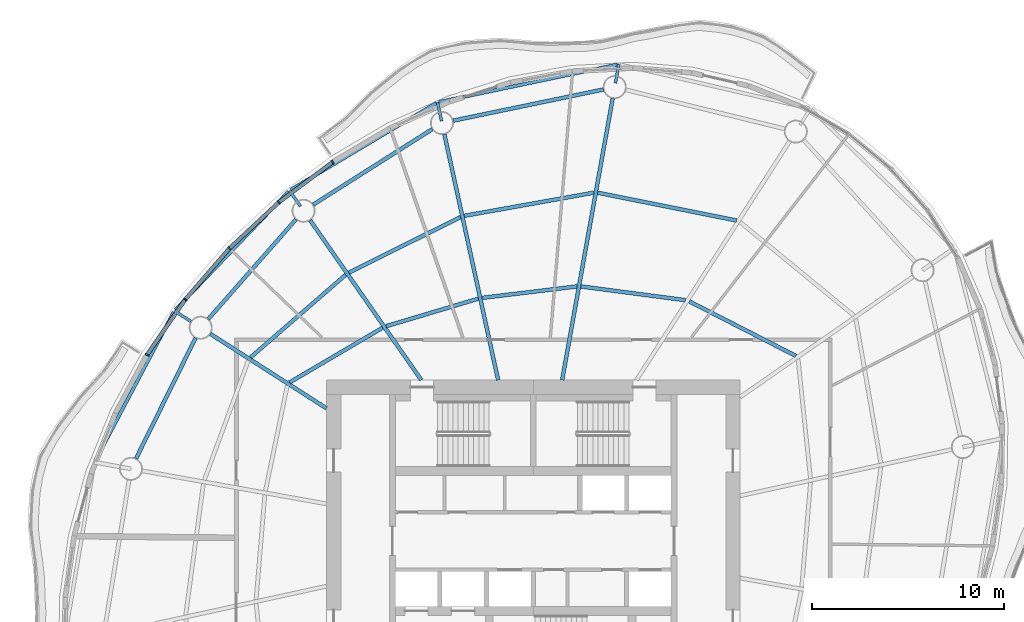
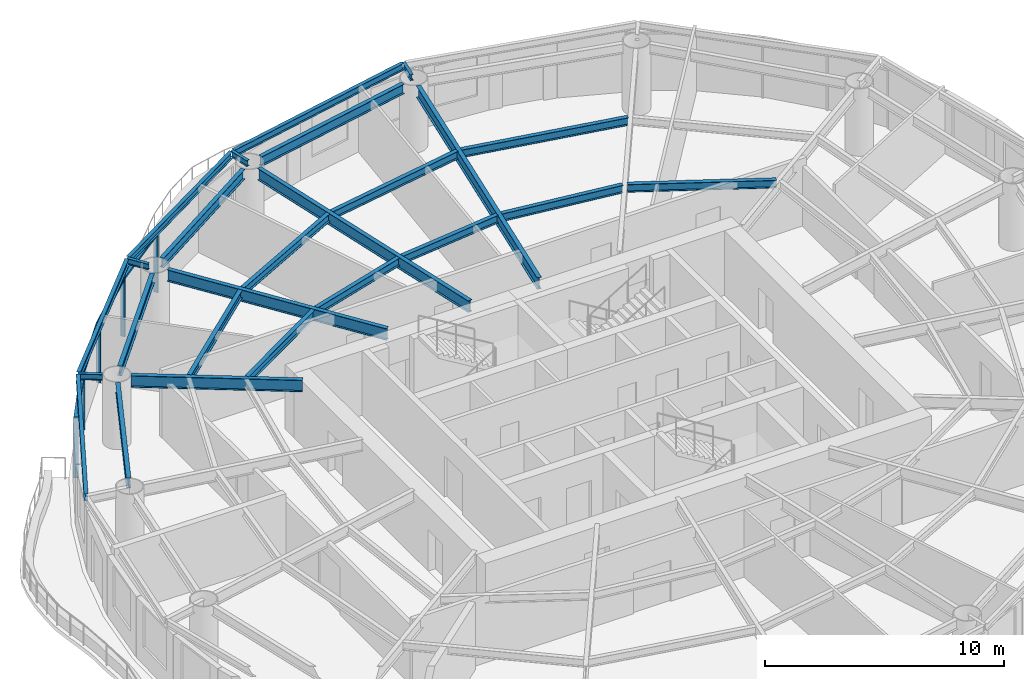
# One storey, part 5 of 14: 25 beams, 9 members, 4 elements without a shape of their own.
"""IFC4 building model written with IfcOpenShell, lengths in metres."""

import ifcopenshell
import ifcopenshell.guid

model = None  # the IFC model being written
_history = None  # IfcOwnerHistory: only IFC2X3 demands one
_inside = {}  # id of a spatial element -> (the spatial element, [elements in it])
_under = {}  # id of a project, library or spatial element -> (it, [spatial elements below it])
_declared = {}  # id of a project -> (the project, [libraries it declares])
_typed = {}  # id of a type object -> (the type object, [elements of that type])
_made_of = {}  # id of a material, layer set ... -> (it, [elements and type objects made of it])


def new_model(schema):
    """Start an empty IFC model of exactly this schema.

    Asked for "IFC4X3", IfcOpenShell would pick the latest addendum, in which some entities
    have other attributes; the version numbers below select the first issue.
    IFC2X3 requires an IfcOwnerHistory on every rooted entity: one is made here for all.
    """
    global model, _history
    if schema == "IFC4X3":
        model = ifcopenshell.file(schema_version=(4, 3, 0, 0))
    else:
        model = ifcopenshell.file(schema=schema)
    _inside.clear()
    _under.clear()
    _declared.clear()
    _typed.clear()
    _made_of.clear()
    _history = None
    if model.schema == "IFC2X3":
        org = make("IfcOrganization", Name="unknown")
        user = make(
            "IfcPersonAndOrganization",
            ThePerson=make("IfcPerson", FamilyName="unknown"),
            TheOrganization=org,
        )
        app = make(
            "IfcApplication",
            ApplicationDeveloper=org,
            Version="unknown",
            ApplicationFullName="unknown",
            ApplicationIdentifier="unknown",
        )
        _history = make(
            "IfcOwnerHistory",
            OwningUser=user,
            OwningApplication=app,
            ChangeAction="ADDED",
            CreationDate=0,
        )
    return model


def make(cls, **values):
    """One entity of the class cls with the attributes given. An attribute that is None is left unset."""
    return model.create_entity(
        cls, **{name: value for name, value in values.items() if value is not None}
    )


def rooted(cls, **values):
    """An entity with a GlobalId (a new one), such as an element, a storey or a relation."""
    return make(cls, GlobalId=ifcopenshell.guid.new(), OwnerHistory=_history, **values)


def si_unit(unit_type, name, prefix=None):
    """IfcSIUnit, for example si_unit("LENGTHUNIT", "METRE", prefix="MILLI")."""
    return make("IfcSIUnit", UnitType=unit_type, Prefix=prefix, Name=name)


def assignment(units):
    """IfcUnitAssignment: the units of a project."""
    return None if units is None else make("IfcUnitAssignment", Units=units)


def point(xyz):
    """IfcCartesianPoint."""
    return None if xyz is None else make("IfcCartesianPoint", Coordinates=xyz)


def direction(xyz):
    """IfcDirection."""
    return None if xyz is None else make("IfcDirection", DirectionRatios=xyz)


def frame(location, z_axis=None, x_axis=None):
    """IfcAxis2Placement3D, a coordinate frame: its origin and axes. An axis left out is left unset."""
    return make(
        "IfcAxis2Placement3D",
        Location=point(location),
        Axis=direction(z_axis),
        RefDirection=direction(x_axis),
    )


def frame_2d(location, x_axis=None):
    """IfcAxis2Placement2D, a coordinate frame in the plane: its origin and x axis."""
    return make(
        "IfcAxis2Placement2D", Location=point(location), RefDirection=direction(x_axis)
    )


def origin():
    """The frame at (0, 0, 0) with its axes left unset."""
    return frame((0.0, 0.0, 0.0))


def origin_2d():
    """The frame at (0, 0) in the plane with its x axis left unset."""
    return frame_2d((0.0, 0.0))


def place(relative_to, where):
    """IfcLocalPlacement: puts the frame where relative to a parent placement (None: the world)."""
    return make(
        "IfcLocalPlacement", PlacementRelTo=relative_to, RelativePlacement=where
    )


def context(
    kind, dimensions, precision=None, world=None, true_north=None, identifier=None
):
    """IfcGeometricRepresentationContext, for example the 3D "Model" context."""
    return make(
        "IfcGeometricRepresentationContext",
        ContextIdentifier=identifier,
        ContextType=kind,
        CoordinateSpaceDimension=dimensions,
        Precision=precision,
        WorldCoordinateSystem=world,
        TrueNorth=true_north,
    )


def subcontext(parent, identifier, kind, view, scale=None):
    """IfcGeometricRepresentationSubContext, for example "Body" below "Model"."""
    return make(
        "IfcGeometricRepresentationSubContext",
        ContextIdentifier=identifier,
        ContextType=kind,
        ParentContext=parent,
        TargetScale=scale,
        TargetView=view,
    )


def project(units=None, contexts=None):
    """IfcProject with its units and contexts."""
    return rooted(
        "IfcProject",
        Name="project",
        RepresentationContexts=contexts,
        UnitsInContext=assignment(units),
    )


def spatial(cls, under=None, at=None, **own):
    """A site, building, storey or space (cls), placed at a placement, below another one or the project."""
    s = rooted(cls, ObjectPlacement=at, **own)
    if under is not None:
        _under.setdefault(under.id(), (under, []))[1].append(s)
    return s


def profile(cls, at=None, kind="AREA", **sizes):
    """A parametric profile (cls). Its sizes go by their IFC names, for example OverallWidth=200.0."""
    return make(cls, ProfileType=kind, Position=at, **sizes)


def rectangle(**sizes):
    """IfcRectangleProfileDef."""
    return profile("IfcRectangleProfileDef", **sizes)


def i_section(**sizes):
    """IfcIShapeProfileDef."""
    return profile("IfcIShapeProfileDef", **sizes)


def extrude(swept, where, along, depth):
    """IfcExtrudedAreaSolid: the profile swept, set in the frame where, extruded along a direction by depth."""
    return make(
        "IfcExtrudedAreaSolid",
        SweptArea=swept,
        Position=where,
        ExtrudedDirection=direction(along),
        Depth=depth,
    )


def shape(context_of_items, identifier, shape_type, items):
    """IfcShapeRepresentation: the items that make up one representation, for example the "Body"."""
    return make(
        "IfcShapeRepresentation",
        ContextOfItems=context_of_items,
        RepresentationIdentifier=identifier,
        RepresentationType=shape_type,
        Items=items,
    )


def material(Name=None, Category=None):
    """IfcMaterial."""
    return make("IfcMaterial", Name=Name, Category=Category)


def material_profile(
    of_material, cross_section, Name=None, Category=None, Priority=None
):
    """IfcMaterialProfile: a cross section and its material."""
    return make(
        "IfcMaterialProfile",
        Name=Name,
        Material=of_material,
        Profile=cross_section,
        Priority=Priority,
        Category=Category,
    )


def profile_set(profiles, Name=None, composite=None):
    """IfcMaterialProfileSet."""
    return make(
        "IfcMaterialProfileSet",
        Name=Name,
        MaterialProfiles=profiles,
        CompositeProfile=composite,
    )


def made_of(thing, what):
    """Note that an element or type object is made of a material, layer set ...; save() writes the relation."""
    if what is not None:
        _made_of.setdefault(what.id(), (what, []))[1].append(thing)
    return thing


def type_object(cls, material=None, **own):
    """A type object (cls), such as IfcWallType, which elements share."""
    return made_of(rooted(cls, **own), material)


def element(
    cls,
    number,
    at=None,
    inside=None,
    cuts=None,
    type_object=None,
    material=None,
    context=None,
    identifier="Body",
    shape_type=None,
    held_by="IfcProductDefinitionShape",
    body=None,
    shapes=None,
    **own,
):
    """One element of the class cls, such as IfcWall. Its Tag is "e" and its number.

    at: its placement. inside: the storey or other place that contains it. cuts: it is an
    opening in that element (IfcRelVoidsElement). A single representation is given by context,
    identifier, shape_type and body (its items); several are given by shapes. held_by: the class
    of the entity that holds the representations. save() writes the other relations.
    """
    e = rooted(cls, Tag="e%d" % number, ObjectPlacement=at, **own)
    if body is not None:
        shapes = [shape(context, identifier, shape_type, body)]
    if shapes is not None:
        e.Representation = make(held_by, Representations=shapes)
    if inside is not None:
        _inside.setdefault(inside.id(), (inside, []))[1].append(e)
    if cuts is not None:
        rooted(
            "IfcRelVoidsElement", RelatingBuildingElement=cuts, RelatedOpeningElement=e
        )
    if type_object is not None:
        _typed.setdefault(type_object.id(), (type_object, []))[1].append(e)
    return made_of(e, material)


def aggregate(whole, parts):
    """IfcRelAggregates: a whole, such as a stair, and the parts it consists of."""
    return rooted("IfcRelAggregates", RelatingObject=whole, RelatedObjects=parts)


def save(model, path):
    """Write the relations noted so far, then the file.

    IfcRelAggregates (storeys below a building ...), IfcRelContainedInSpatialStructure (elements
    in a storey), IfcRelDefinesByType, IfcRelAssociatesMaterial and IfcRelDeclares: one each for
    every whole, place, type object, material and project.
    """
    for whole, parts in _under.values():
        aggregate(whole, parts)
    for where, things in _inside.values():
        rooted(
            "IfcRelContainedInSpatialStructure",
            RelatedElements=things,
            RelatingStructure=where,
        )
    for kind, things in _typed.values():
        rooted("IfcRelDefinesByType", RelatedObjects=things, RelatingType=kind)
    for what, things in _made_of.values():
        rooted("IfcRelAssociatesMaterial", RelatedObjects=things, RelatingMaterial=what)
    for by, libraries in _declared.values():
        rooted("IfcRelDeclares", RelatingContext=by, RelatedDefinitions=libraries)
    model.write(path)


model = new_model("IFC4")

# Units and contexts
model_context = context("Model", 3, precision=1e-05, world=origin(), true_north=direction((0.0, 1.0)))
body_context = subcontext(model_context, "Body", "Model", "MODEL_VIEW")
ifc_project = project(units=[si_unit("LENGTHUNIT", "METRE"), si_unit("AREAUNIT", "SQUARE_METRE"), si_unit("VOLUMEUNIT", "CUBIC_METRE"), si_unit("PLANEANGLEUNIT", "RADIAN"), si_unit("MASSUNIT", "GRAM", prefix="KILO")], contexts=[model_context])

# Site, building, storey
site_placement = place(None, origin())
site = spatial("IfcSite", under=ifc_project, at=site_placement, CompositionType="ELEMENT")
building_placement = place(site_placement, origin())
building = spatial("IfcBuilding", under=site, at=building_placement, Name="Vermilion Reach Broadcast Tower", CompositionType="ELEMENT")
storey_placement = place(building_placement, frame((0.0, 0.0, 217.300048828125)))
storey = spatial("IfcBuildingStorey", under=building, at=storey_placement, Name="L53", CompositionType="ELEMENT", Elevation=217.300048828125)

# Beams
ifc_material_1 = material(Name="Steel S355J2", Category="steel")
ifc_material_profile_1 = material_profile(ifc_material_1, i_section(OverallWidth=0.175048828125, OverallDepth=0.35009765625, WebThickness=0.007080078125, FlangeThickness=0.010986328125, at=origin_2d()), Name="S355J2 HN 350x175x7x11")
ifc_profile_set_1 = profile_set([ifc_material_profile_1], Name="Steel S355J2")
beam_type_1 = type_object("IfcBeamType", Name="EB4 HN 350x175x7x11", PredefinedType="BEAM", material=ifc_profile_set_1)
beam_1_placement = place(storey_placement, frame((-1.614990234375, 24.869140625, 3.27490234375), z_axis=(-0.978630795102, -0.205625307, 0.0), x_axis=(0.205625307, -0.978630795102, 0.0)))
element("IfcBeam", 1, at=beam_1_placement, inside=storey, type_object=beam_type_1, Name="Edge beam EB4-02", PredefinedType="BEAM", context=body_context, shape_type="SweptSolid", body=[
    extrude(i_section(OverallWidth=0.175048828125, OverallDepth=0.35009765625, WebThickness=0.007080078125, FlangeThickness=0.010986328125, at=origin_2d()), origin(), (0.0, 0.0, 1.0), 9.519775390625),
])
beam_2_placement = place(storey_placement, frame((-11.07275390625, 22.855712890625, 3.27490234375), z_axis=(-0.858838056744, -0.51224719842, 0.0), x_axis=(0.51224719842, -0.858838056744, 0.0)))
element("IfcBeam", 2, at=beam_2_placement, inside=storey, type_object=beam_type_1, Name="Edge beam EB4-03", PredefinedType="BEAM", context=body_context, shape_type="SweptSolid", body=[
    extrude(i_section(OverallWidth=0.175048828125, OverallDepth=0.35009765625, WebThickness=0.007080078125, FlangeThickness=0.010986328125, at=origin_2d()), origin(), (0.0, 0.0, 1.0), 8.836669921875),
])
beam_3_placement = place(storey_placement, frame((-18.779541015625, 18.2353515625, 3.27490234375), z_axis=(-0.691537527371, -0.722340534815, 0.0), x_axis=(0.722340534815, -0.691537527371, 0.0)))
element("IfcBeam", 3, at=beam_3_placement, inside=storey, type_object=beam_type_1, Name="Edge beam EB4-04", PredefinedType="BEAM", context=body_context, shape_type="SweptSolid", body=[
    extrude(i_section(OverallWidth=0.175048828125, OverallDepth=0.35009765625, WebThickness=0.007080078125, FlangeThickness=0.010986328125, at=origin_2d()), origin(), (0.0, 0.0, 1.0), 8.5361328125),
])
beam_4_placement = place(storey_placement, frame((-24.770751953125, 11.947509765625, 3.27490234375), z_axis=(-0.46684098408, -0.884341277779, 0.0), x_axis=(0.884341277779, -0.46684098408, 0.0)))
element("IfcBeam", 4, at=beam_4_placement, inside=storey, type_object=beam_type_1, Name="Edge beam EB4-05", PredefinedType="BEAM", context=body_context, shape_type="SweptSolid", body=[
    extrude(i_section(OverallWidth=0.175048828125, OverallDepth=0.35009765625, WebThickness=0.007080078125, FlangeThickness=0.010986328125, at=origin_2d()), origin(), (0.0, 0.0, 1.0), 8.758056640625),
])
ifc_material_2 = material(Name="Steel S355J2", Category="steel")
ifc_material_profile_2 = material_profile(ifc_material_2, i_section(OverallWidth=0.199951171875, OverallDepth=0.60009765625, WebThickness=0.010986328125, FlangeThickness=0.01708984375, at=origin_2d()), Name="S355J2 HN 600x200x11x17")
ifc_profile_set_2 = profile_set([ifc_material_profile_2], Name="Steel S355J2")
beam_type_2 = type_object("IfcBeamType", Name="G4 HN 600x200x11x17", PredefinedType="BEAM", material=ifc_profile_set_2)
beam_5_placement = place(storey_placement, frame((-4.4931640625, 8.39990234375, 3.14990234375), z_axis=(0.176574729047, 0.984287237072, 0.0), x_axis=(-0.984287237072, 0.176574729047, 0.0)))
element("IfcBeam", 5, at=beam_5_placement, inside=storey, type_object=beam_type_2, Name="Girder G4-02", PredefinedType="BEAM", context=body_context, shape_type="SweptSolid", body=[
    extrude(i_section(OverallWidth=0.199951171875, OverallDepth=0.60009765625, WebThickness=0.010986328125, FlangeThickness=0.01708984375, at=origin_2d()), origin(), (0.0, 0.0, 1.0), 14.935302734375),
])
beam_6_placement = place(storey_placement, frame((-7.836181640625, 8.39990234375, 3.14990234375), z_axis=(-0.213538346548, 0.976934682849, 0.0), x_axis=(-0.976934682849, -0.213538346548, 0.0)))
element("IfcBeam", 6, at=beam_6_placement, inside=storey, type_object=beam_type_2, Name="Girder G4-03", PredefinedType="BEAM", context=body_context, shape_type="SweptSolid", body=[
    extrude(i_section(OverallWidth=0.199951171875, OverallDepth=0.60009765625, WebThickness=0.010986328125, FlangeThickness=0.01708984375, at=origin_2d()), origin(), (0.0, 0.0, 1.0), 13.135498046875),
])
beam_7_placement = place(storey_placement, frame((-11.8447265625, 8.39990234375, 3.14990234375), z_axis=(-0.571134149017, 0.8208567377, 0.0), x_axis=(-0.8208567377, -0.571134149017, 0.0)))
element("IfcBeam", 7, at=beam_7_placement, inside=storey, type_object=beam_type_2, Name="Girder G4-04", PredefinedType="BEAM", context=body_context, shape_type="SweptSolid", body=[
    extrude(i_section(OverallWidth=0.199951171875, OverallDepth=0.60009765625, WebThickness=0.010986328125, FlangeThickness=0.01708984375, at=origin_2d()), origin(), (0.0, 0.0, 1.0), 10.16552734375),
])
beam_8_placement = place(storey_placement, frame((-16.800048828125, 6.925537109375, 3.14990234375), z_axis=(-0.841798504642, 0.539791883584, 0.0), x_axis=(-0.539791883584, -0.841798504642, 0.0)))
element("IfcBeam", 8, at=beam_8_placement, inside=storey, type_object=beam_type_2, Name="Girder G4-05", PredefinedType="BEAM", context=body_context, shape_type="SweptSolid", body=[
    extrude(i_section(OverallWidth=0.199951171875, OverallDepth=0.60009765625, WebThickness=0.010986328125, FlangeThickness=0.01708984375, at=origin_2d()), origin(), (0.0, 0.0, 1.0), 7.1962890625),
])
ifc_material_3 = material(Name="Steel S355J2", Category="steel")
ifc_material_profile_3 = material_profile(ifc_material_3, i_section(OverallWidth=0.14990234375, OverallDepth=0.300048828125, WebThickness=0.006591796875, FlangeThickness=0.009033203125, at=origin_2d()), Name="S355J2 HN 300x150x6.5x9")
ifc_profile_set_3 = profile_set([ifc_material_profile_3], Name="Steel S355J2")
beam_type_3 = type_object("IfcBeamType", Name="GS4 HN 300x150x6.5x9", PredefinedType="BEAM", material=ifc_profile_set_3)
beam_9_placement = place(storey_placement, frame((-1.71240234375, 23.901611328125, 3.300048828125), z_axis=(0.176542748677, 0.984292973606, 0.0), x_axis=(-0.984292973606, 0.176542748677, 0.0)))
element("IfcBeam", 9, at=beam_9_placement, inside=storey, type_object=beam_type_3, Name="Cantilever stub GS4-02", PredefinedType="BEAM", context=body_context, shape_type="SweptSolid", body=[
    extrude(i_section(OverallWidth=0.14990234375, OverallDepth=0.300048828125, WebThickness=0.006591796875, FlangeThickness=0.009033203125, at=origin_2d()), origin(), (0.0, 0.0, 1.0), 0.999755859375),
])
for number, where, z_axis, x_axis, name in (
    (10, (-10.791259765625, 21.91943359375, 3.300048828125), (-0.213645906146, 0.976911166272, 0.0), (-0.976911166272, -0.213645906146, 0.0), "Cantilever stub GS4-03"),
    (11, (-18.155517578125, 17.4697265625, 3.300048828125), (-0.570985808908, 0.82095992961, 0.0), (-0.82095992961, -0.570985808908, 0.0), "Cantilever stub GS4-04"),
):
    element("IfcBeam", number, at=place(storey_placement, frame(where, z_axis=z_axis, x_axis=x_axis)), inside=storey, type_object=beam_type_3, Name=name, PredefinedType="BEAM", context=body_context, shape_type="SweptSolid", body=[
        extrude(i_section(OverallWidth=0.14990234375, OverallDepth=0.300048828125, WebThickness=0.006591796875, FlangeThickness=0.009033203125, at=origin_2d()), origin(), (0.0, 0.0, 1.0), 1.0),
    ])
beam_10_placement = place(storey_placement, frame((-23.867919921875, 11.457763671875, 3.300048828125), z_axis=(-0.841793590175, 0.539799547555, 0.0), x_axis=(-0.539799547555, -0.841793590175, 0.0)))
element("IfcBeam", 12, at=beam_10_placement, inside=storey, type_object=beam_type_3, Name="Cantilever stub GS4-05", PredefinedType="BEAM", context=body_context, shape_type="SweptSolid", body=[
    extrude(i_section(OverallWidth=0.14990234375, OverallDepth=0.300048828125, WebThickness=0.006591796875, FlangeThickness=0.009033203125, at=origin_2d()), origin(), (0.0, 0.0, 1.0), 1.03076171875),
])
ifc_material_4 = material(Name="Steel S355J2", Category="steel")
ifc_material_profile_4 = material_profile(ifc_material_4, i_section(OverallWidth=0.199951171875, OverallDepth=0.5, WebThickness=0.010009765625, FlangeThickness=0.01611328125, at=origin_2d()), Name="S355J2 HN 500x200x10x16")
ifc_profile_set_4 = profile_set([ifc_material_profile_4], Name="Steel S355J2")
beam_type_4 = type_object("IfcBeamType", Name="RB4 HN 500x200x10x16", PredefinedType="BEAM", material=ifc_profile_set_4)
beam_11_placement = place(storey_placement, frame((-2.337646484375, 23.569091796875, 3.199951171875), z_axis=(-0.97912342484, -0.203266620302, 0.0), x_axis=(0.203266620302, -0.97912342484, 0.0)))
element("IfcBeam", 13, at=beam_11_placement, inside=storey, type_object=beam_type_4, Name="Ring beam RB4-02", PredefinedType="BEAM", context=body_context, shape_type="SweptSolid", body=[
    extrude(i_section(OverallWidth=0.199951171875, OverallDepth=0.5, WebThickness=0.010009765625, FlangeThickness=0.01611328125, at=origin_2d()), origin(), (0.0, 0.0, 1.0), 8.01123046875),
])
beam_12_placement = place(storey_placement, frame((-11.27587890625, 21.497314453125, 3.199951171875), z_axis=(-0.84446426774, -0.535611893549, 0.0), x_axis=(0.535611893549, -0.84446426774, 0.0)))
element("IfcBeam", 14, at=beam_12_placement, inside=storey, type_object=beam_type_4, Name="Ring beam RB4-03", PredefinedType="BEAM", context=body_context, shape_type="SweptSolid", body=[
    extrude(i_section(OverallWidth=0.199951171875, OverallDepth=0.5, WebThickness=0.010009765625, FlangeThickness=0.01611328125, at=origin_2d()), origin(), (0.0, 0.0, 1.0), 7.3544921875),
])
beam_13_placement = place(storey_placement, frame((-18.3896484375, 16.786376953125, 3.199951171875), z_axis=(-0.660565141761, -0.750768735024, 0.0), x_axis=(0.750768735024, -0.660565141761, 0.0)))
element("IfcBeam", 15, at=beam_13_placement, inside=storey, type_object=beam_type_4, Name="Ring beam RB4-04", PredefinedType="BEAM", context=body_context, shape_type="SweptSolid", body=[
    extrude(i_section(OverallWidth=0.199951171875, OverallDepth=0.5, WebThickness=0.010009765625, FlangeThickness=0.01611328125, at=origin_2d()), origin(), (0.0, 0.0, 1.0), 6.9287109375),
])
beam_14_placement = place(storey_placement, frame((-23.628662109375, 10.595947265625, 3.199951171875), z_axis=(-0.442977497199, -0.896532730566, 0.0), x_axis=(0.896532730566, -0.442977497199, 0.0)))
element("IfcBeam", 16, at=beam_14_placement, inside=storey, type_object=beam_type_4, Name="Ring beam RB4-05", PredefinedType="BEAM", context=body_context, shape_type="SweptSolid", body=[
    extrude(i_section(OverallWidth=0.199951171875, OverallDepth=0.5, WebThickness=0.010009765625, FlangeThickness=0.01611328125, at=origin_2d()), origin(), (0.0, 0.0, 1.0), 7.0166015625),
])
ifc_material_5 = material(Name="Steel S355J2", Category="steel")
ifc_material_profile_5 = material_profile(ifc_material_5, i_section(OverallWidth=0.199951171875, OverallDepth=0.39990234375, WebThickness=0.008056640625, FlangeThickness=0.012939453125, at=origin_2d()), Name="S355J2 HN 400x200x8x13")
ifc_profile_set_5 = profile_set([ifc_material_profile_5], Name="Steel S355J2")
beam_type_5 = type_object("IfcBeamType", Name="SB4 HN 400x200x8x13", PredefinedType="BEAM", material=ifc_profile_set_5)
beam_15_placement = place(storey_placement, frame((1.94140625, 12.5693359375, 3.25), z_axis=(-0.991458070019, 0.130425823341, 0.0), x_axis=(-0.130425823341, -0.991458070019, 0.0)))
element("IfcBeam", 17, at=beam_15_placement, inside=storey, type_object=beam_type_5, Name="Secondary beam SB4-01-1", PredefinedType="BEAM", context=body_context, shape_type="SweptSolid", body=[
    extrude(i_section(OverallWidth=0.199951171875, OverallDepth=0.39990234375, WebThickness=0.008056640625, FlangeThickness=0.012939453125, at=origin_2d()), origin(), (0.0, 0.0, 1.0), 5.50341796875),
])
beam_16_placement = place(storey_placement, frame((4.60986328125, 16.73095703125, 3.25), z_axis=(-0.9805717807, 0.196160604851, 0.0), x_axis=(-0.196160604851, -0.9805717807, 0.0)))
element("IfcBeam", 18, at=beam_16_placement, inside=storey, type_object=beam_type_5, Name="Secondary beam SB4-01-2", PredefinedType="BEAM", context=body_context, shape_type="SweptSolid", body=[
    extrude(i_section(OverallWidth=0.199951171875, OverallDepth=0.39990234375, WebThickness=0.008056640625, FlangeThickness=0.012939453125, at=origin_2d()), origin(), (0.0, 0.0, 1.0), 7.390380859375),
])
beam_17_placement = place(storey_placement, frame((-3.718017578125, 13.28759765625, 3.25), z_axis=(-0.99278788328, -0.119884189168, 0.0), x_axis=(0.119884189168, -0.99278788328, 0.0)))
element("IfcBeam", 19, at=beam_17_placement, inside=storey, type_object=beam_type_5, Name="Secondary beam SB4-02-1", PredefinedType="BEAM", context=body_context, shape_type="SweptSolid", body=[
    extrude(i_section(OverallWidth=0.199951171875, OverallDepth=0.39990234375, WebThickness=0.008056640625, FlangeThickness=0.012939453125, at=origin_2d()), origin(), (0.0, 0.0, 1.0), 4.9892578125),
])
beam_18_placement = place(storey_placement, frame((-2.840087890625, 18.181640625, 3.25), z_axis=(-0.984415281892, -0.175859468829, 0.0), x_axis=(0.175859468829, -0.984415281892, 0.0)))
element("IfcBeam", 20, at=beam_18_placement, inside=storey, type_object=beam_type_5, Name="Secondary beam SB4-02-2", PredefinedType="BEAM", context=body_context, shape_type="SweptSolid", body=[
    extrude(i_section(OverallWidth=0.199951171875, OverallDepth=0.39990234375, WebThickness=0.008056640625, FlangeThickness=0.012939453125, at=origin_2d()), origin(), (0.0, 0.0, 1.0), 6.874755859375),
])
beam_19_placement = place(storey_placement, frame((-8.8671875, 12.64892578125, 3.25), z_axis=(-0.958173460215, -0.28618808525, 0.0), x_axis=(0.28618808525, -0.958173460215, 0.0)))
element("IfcBeam", 21, at=beam_19_placement, inside=storey, type_object=beam_type_5, Name="Secondary beam SB4-03-1", PredefinedType="BEAM", context=body_context, shape_type="SweptSolid", body=[
    extrude(i_section(OverallWidth=0.199951171875, OverallDepth=0.39990234375, WebThickness=0.008056640625, FlangeThickness=0.012939453125, at=origin_2d()), origin(), (0.0, 0.0, 1.0), 5.02197265625),
])
beam_20_placement = place(storey_placement, frame((-9.79833984375, 16.908935546875, 3.25), z_axis=(-0.895183615542, -0.445697536974, 0.0), x_axis=(0.445697536974, -0.895183615542, 0.0)))
element("IfcBeam", 22, at=beam_20_placement, inside=storey, type_object=beam_type_5, Name="Secondary beam SB4-03-2", PredefinedType="BEAM", context=body_context, shape_type="SweptSolid", body=[
    extrude(i_section(OverallWidth=0.199951171875, OverallDepth=0.39990234375, WebThickness=0.008056640625, FlangeThickness=0.012939453125, at=origin_2d()), origin(), (0.0, 0.0, 1.0), 6.508544921875),
])
beam_21_placement = place(storey_placement, frame((-13.866455078125, 11.130615234375, 3.25), z_axis=(-0.862172572268, -0.506614701356, 0.0), x_axis=(0.506614701356, -0.862172572268, 0.0)))
element("IfcBeam", 23, at=beam_21_placement, inside=storey, type_object=beam_type_5, Name="Secondary beam SB4-04-1", PredefinedType="BEAM", context=body_context, shape_type="SweptSolid", body=[
    extrude(i_section(OverallWidth=0.199951171875, OverallDepth=0.39990234375, WebThickness=0.008056640625, FlangeThickness=0.012939453125, at=origin_2d()), origin(), (0.0, 0.0, 1.0), 5.632568359375),
])
beam_22_placement = place(storey_placement, frame((-15.791259765625, 13.89697265625, 3.25), z_axis=(-0.755129308567, -0.655575874589, 0.0), x_axis=(0.655575874589, -0.755129308567, 0.0)))
element("IfcBeam", 24, at=beam_22_placement, inside=storey, type_object=beam_type_5, Name="Secondary beam SB4-04-2", PredefinedType="BEAM", context=body_context, shape_type="SweptSolid", body=[
    extrude(i_section(OverallWidth=0.199951171875, OverallDepth=0.39990234375, WebThickness=0.008056640625, FlangeThickness=0.012939453125, at=origin_2d()), origin(), (0.0, 0.0, 1.0), 6.57958984375),
])
beam_23_placement = place(storey_placement, frame((7.707763671875, 9.659423828125, 3.25), z_axis=(-0.89015575218, 0.455656380249, 0.0), x_axis=(-0.455656380249, -0.89015575218, 0.0)))
element("IfcBeam", 25, at=beam_23_placement, inside=storey, type_object=beam_type_5, Name="Secondary beam SB4-16-1", PredefinedType="BEAM", context=body_context, shape_type="SweptSolid", body=[
    extrude(i_section(OverallWidth=0.199951171875, OverallDepth=0.39990234375, WebThickness=0.008056640625, FlangeThickness=0.012939453125, at=origin_2d()), origin(), (0.0, 0.0, 1.0), 6.25439453125),
])

# Curtain wall, member
ifc_material_6 = material(Name="Low-e laminated clear glass in aluminium frame", Category="aluminium")
curtain_wall_type = type_object("IfcCurtainWallType", Name="Slot curtain wall", PredefinedType="NOTDEFINED", material=ifc_material_6)
placement = place(storey_placement, origin())
curtain_wall_1 = element("IfcCurtainWall", 26, at=placement, inside=storey, type_object=curtain_wall_type, Name="Slot curtain wall L53 10", PredefinedType="NOTDEFINED")
ifc_material_7 = material(Name="Anodised aluminium", Category="aluminium")
ifc_material_profile_6 = material_profile(ifc_material_7, rectangle(XDim=0.199951171875, YDim=0.080078125, at=origin_2d()), Name="Slot mullion 80 x 200")
ifc_profile_set_6 = profile_set([ifc_material_profile_6], Name="Anodised aluminium")
member_type_1 = type_object("IfcMemberType", Name="Slot mullion 80 x 200", PredefinedType="MULLION", material=ifc_profile_set_6)
member_1_placement = place(storey_placement, frame((-16.472900390625, 19.782958984375, 0.0), z_axis=(0.0, 0.0, 1.0), x_axis=(0.554539596666, -0.832157338326, 0.0)))
member_1 = element("IfcMember", 27, at=member_1_placement, type_object=member_type_1, Name="Slot mullion L53 10", PredefinedType="MULLION", context=body_context, shape_type="SweptSolid", body=[
    extrude(rectangle(XDim=0.199951171875, YDim=0.080078125, at=origin_2d()), origin(), (0.0, 0.0, 1.0), 3.050048828125),
])

curtain_wall_2 = element("IfcCurtainWall", 28, at=placement, inside=storey, type_object=curtain_wall_type, Name="Slot curtain wall L53 11", PredefinedType="NOTDEFINED")
member_2_placement = place(storey_placement, frame((-19.281005859375, 17.680419921875, 0.0), z_axis=(0.0, 0.0, 1.0), x_axis=(0.641638000614, -0.767007611545, 0.0)))
member_2 = element("IfcMember", 29, at=member_2_placement, type_object=member_type_1, Name="Slot mullion L53 11", PredefinedType="MULLION", context=body_context, shape_type="SweptSolid", body=[
    extrude(rectangle(XDim=0.199951171875, YDim=0.080078125, at=origin_2d()), origin(), (0.0, 0.0, 1.0), 3.050048828125),
])

curtain_wall_3 = element("IfcCurtainWall", 30, at=placement, inside=storey, type_object=curtain_wall_type, Name="Slot curtain wall L53 12", PredefinedType="NOTDEFINED")
member_3_placement = place(storey_placement, frame((-21.861083984375, 15.274169921875, 0.0), z_axis=(0.0, 0.0, 1.0), x_axis=(0.720308959658, -0.693653373549, 0.0)))
member_3 = element("IfcMember", 31, at=member_3_placement, type_object=member_type_1, Name="Slot mullion L53 12", PredefinedType="MULLION", context=body_context, shape_type="SweptSolid", body=[
    extrude(rectangle(XDim=0.199951171875, YDim=0.080078125, at=origin_2d()), origin(), (0.0, 0.0, 1.0), 3.050048828125),
])

# Curtain wall, members
curtain_wall_4 = element("IfcCurtainWall", 32, at=placement, inside=storey, type_object=curtain_wall_type, Name="Slot curtain wall L53 13", PredefinedType="NOTDEFINED")
member_4_placement = place(storey_placement, frame((-24.16845703125, 12.605224609375, 0.0), z_axis=(0.0, 0.0, 1.0), x_axis=(0.790646055855, -0.61227348004, 0.0)))
member_4 = element("IfcMember", 33, at=member_4_placement, type_object=member_type_1, Name="Slot mullion L53 13", PredefinedType="MULLION", context=body_context, shape_type="SweptSolid", body=[
    extrude(rectangle(XDim=0.199951171875, YDim=0.080078125, at=origin_2d()), origin(), (0.0, 0.0, 1.0), 3.050048828125),
])
member_5_placement = place(storey_placement, frame((-26.16357421875, 9.7197265625, 0.0), z_axis=(0.0, 0.0, 1.0), x_axis=(0.852466806886, -0.522781353108, 0.0)))
member_5 = element("IfcMember", 34, at=member_5_placement, type_object=member_type_1, Name="Slot mullion L53 14", PredefinedType="MULLION", context=body_context, shape_type="SweptSolid", body=[
    extrude(rectangle(XDim=0.199951171875, YDim=0.080078125, at=origin_2d()), origin(), (0.0, 0.0, 1.0), 3.050048828125),
])

# Member
ifc_material_8 = material(Name="Anodised aluminium", Category="aluminium")
ifc_material_profile_7 = material_profile(ifc_material_8, rectangle(XDim=0.199951171875, YDim=0.10009765625, at=origin_2d()), Name="Slot transom 200 x 100")
ifc_profile_set_7 = profile_set([ifc_material_profile_7], Name="Anodised aluminium")
member_type_2 = type_object("IfcMemberType", Name="Slot transom 200 x 100", PredefinedType="USERDEFINED", material=ifc_profile_set_7)
member_6_placement = place(storey_placement, frame((-16.5048828125, 19.759033203125, 3.0), z_axis=(-0.800512491639, -0.599316069141, 0.0), x_axis=(0.599316069141, -0.800512491639, 0.0)))
member_6 = element("IfcMember", 35, at=member_6_placement, type_object=member_type_2, Name="Slot transom L53 10.1", ObjectType="TRANSOM", PredefinedType="USERDEFINED", context=body_context, shape_type="SweptSolid", body=[
    extrude(rectangle(XDim=0.199951171875, YDim=0.10009765625, at=origin_2d()), origin(), (0.0, 0.0, 1.0), 3.427978515625),
])

aggregate(curtain_wall_1, [member_1, member_6])

member_7_placement = place(storey_placement, frame((-19.310302734375, 17.6533203125, 3.0), z_axis=(-0.731248306149, -0.68211136536, 0.0), x_axis=(0.68211136536, -0.731248306149, 0.0)))
member_7 = element("IfcMember", 36, at=member_7_placement, type_object=member_type_2, Name="Slot transom L53 11.1", ObjectType="TRANSOM", PredefinedType="USERDEFINED", context=body_context, shape_type="SweptSolid", body=[
    extrude(rectangle(XDim=0.199951171875, YDim=0.10009765625, at=origin_2d()), origin(), (0.0, 0.0, 1.0), 3.4482421875),
])

aggregate(curtain_wall_2, [member_2, member_7])

member_8_placement = place(storey_placement, frame((-21.88720703125, 15.243896484375, 3.0), z_axis=(-0.654021646403, -0.756475833081, 0.0), x_axis=(0.756475833081, -0.654021646403, 0.0)))
member_8 = element("IfcMember", 37, at=member_8_placement, type_object=member_type_2, Name="Slot transom L53 12.1", ObjectType="TRANSOM", PredefinedType="USERDEFINED", context=body_context, shape_type="SweptSolid", body=[
    extrude(rectangle(XDim=0.199951171875, YDim=0.10009765625, at=origin_2d()), origin(), (0.0, 0.0, 1.0), 3.447998046875),
])

aggregate(curtain_wall_3, [member_3, member_8])

member_9_placement = place(storey_placement, frame((-24.191162109375, 12.572265625, 3.0), z_axis=(-0.568754375196, -0.822507422882, 0.0), x_axis=(0.822507422882, -0.568754375196, 0.0)))
member_9 = element("IfcMember", 38, at=member_9_placement, type_object=member_type_2, Name="Slot transom L53 13.1", ObjectType="TRANSOM", PredefinedType="USERDEFINED", context=body_context, shape_type="SweptSolid", body=[
    extrude(rectangle(XDim=0.199951171875, YDim=0.10009765625, at=origin_2d()), origin(), (0.0, 0.0, 1.0), 3.427978515625),
])

aggregate(curtain_wall_4, [member_4, member_5, member_9])

save(model, "model.ifc")
